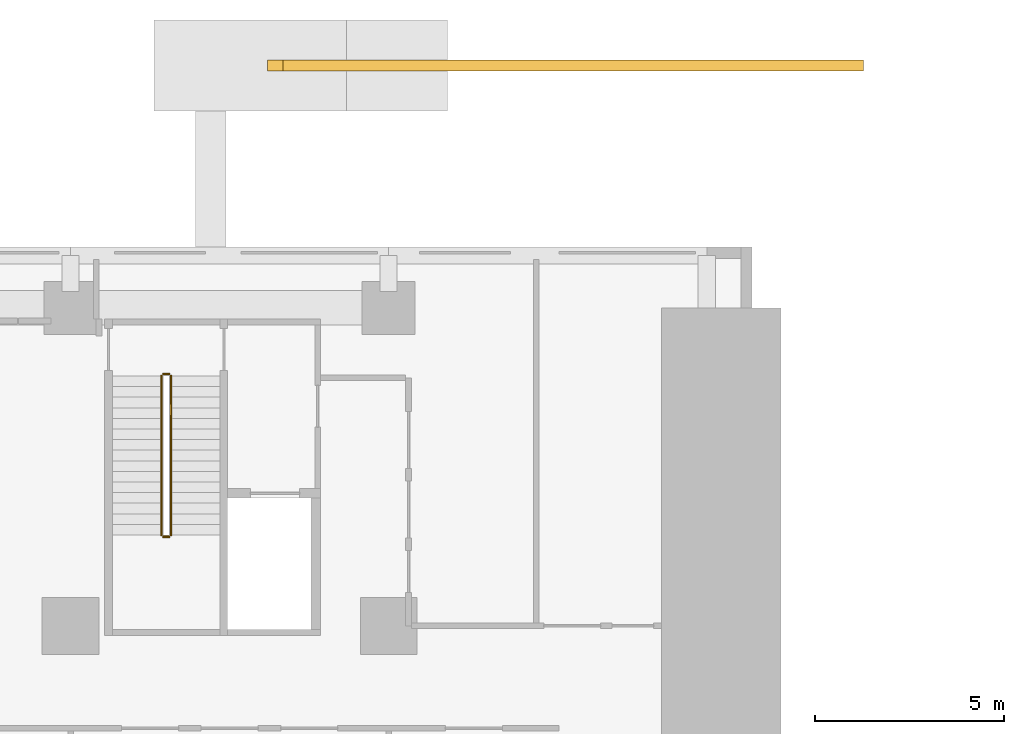
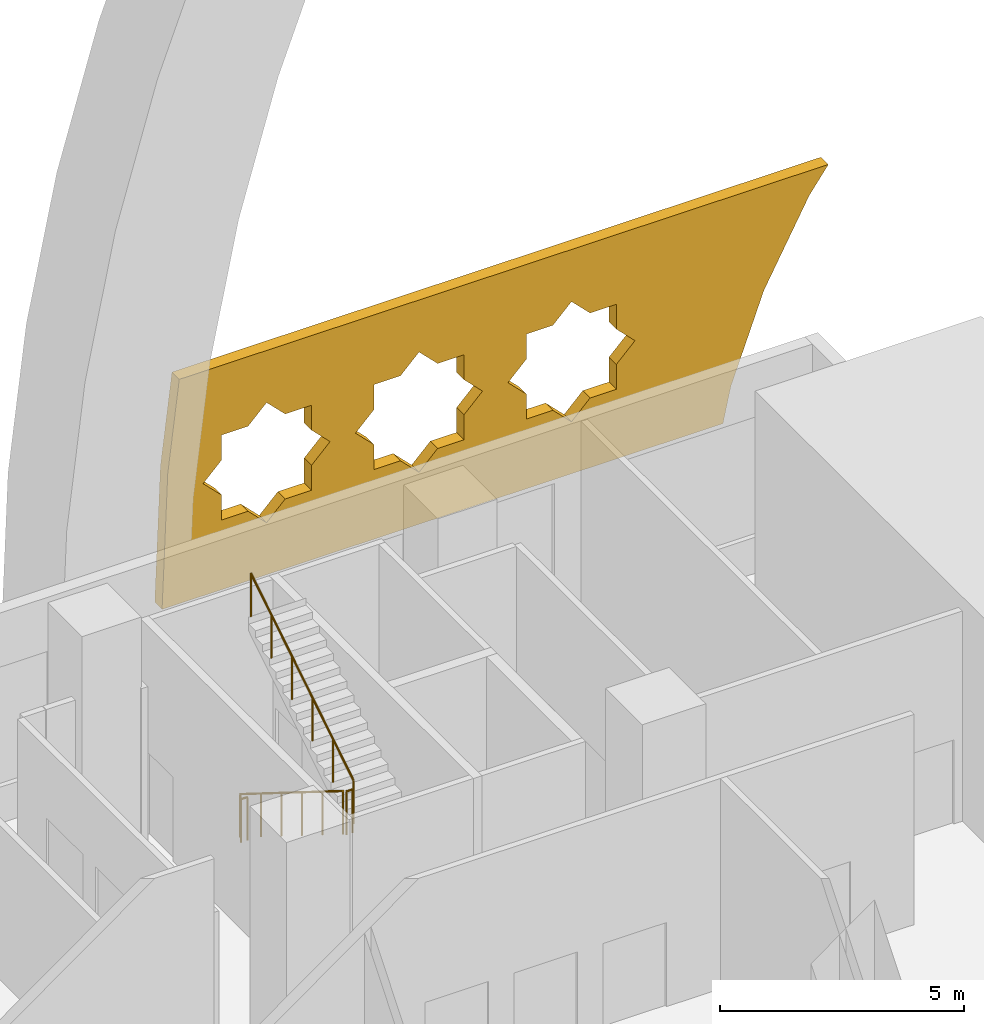
# One storey, part 18 of 19: 4 railings, 1 covering.
"""IFC4 building model written with IfcOpenShell, lengths in metres."""

from ifc_helpers import new_model, si_unit, direction, frame, origin, origin_2d, place, context, subcontext, project, spatial, polyline, circle, outline, extrude, material, layer, layer_set, type_object, element, save


model = new_model("IFC4")

# Units and contexts
model_context = context("Model", 3, precision=1e-05, world=origin(), true_north=direction((0.0, 1.0)))
body_context = subcontext(model_context, "Body", "Model", "MODEL_VIEW")
ifc_project = project(units=[si_unit("LENGTHUNIT", "METRE"), si_unit("AREAUNIT", "SQUARE_METRE"), si_unit("VOLUMEUNIT", "CUBIC_METRE"), si_unit("PLANEANGLEUNIT", "RADIAN"), si_unit("MASSUNIT", "GRAM", prefix="KILO")], contexts=[model_context])

# Site, building, storey
site_placement = place(None, origin())
site = spatial("IfcSite", under=ifc_project, at=site_placement, CompositionType="ELEMENT")
building_placement = place(site_placement, origin())
building = spatial("IfcBuilding", under=site, at=building_placement, Name="Kawkab Arch Medical Tower", CompositionType="ELEMENT")
storey_placement = place(building_placement, frame((0.0, 0.0, 12.60009765625)))
storey = spatial("IfcBuildingStorey", under=building, at=storey_placement, Name="L03", CompositionType="ELEMENT", Elevation=12.60009765625)

# Covering
ifc_material_1 = material(Name="Perforated bronze anodised aluminium, eight-point star pattern", Category="aluminium")
ifc_layer = layer(ifc_material_1, 0.300048828125)
ifc_layer_set = layer_set([ifc_layer], Name="Perforated bronze anodised aluminium, eight-point star pattern")
covering_type = type_object("IfcCoveringType", Name="Spandrel star screen 300", PredefinedType="USERDEFINED", material=ifc_layer_set)
covering_placement = place(storey_placement, frame((0.0, 6.550048828125, -12.60009765625), z_axis=(0.0, -1.0, 0.0), x_axis=(1.0, 0.0, 0.0)))
element("IfcCovering", 1, at=covering_placement, inside=storey, type_object=covering_type, Name="Spandrel screen N 2.1", ObjectType="SCREEN", PredefinedType="USERDEFINED", context=body_context, shape_type="SweptSolid", body=[
    extrude(outline(polyline([(47.201171875, 12.60009765625), (60.447509765625, 12.60009765625), (60.634033203125, 13.468017578125), (61.4140625, 15.591064453125), (62.48388671875, 17.5830078125), (62.9375, 18.199951171875), (47.607421875, 18.199951171875), (47.33544921875, 15.94970703125), (47.201171875, 12.60009765625)]), holes=[polyline([(51.16943359375, 15.39990234375), (50.72998046875, 15.83935546875), (50.72998046875, 16.460693359375), (50.108642578125, 16.460693359375), (49.66943359375, 16.89990234375), (49.22998046875, 16.460693359375), (48.608642578125, 16.460693359375), (48.608642578125, 15.83935546875), (48.16943359375, 15.39990234375), (48.608642578125, 14.960693359375), (48.608642578125, 14.33935546875), (49.22998046875, 14.33935546875), (49.66943359375, 13.89990234375), (50.108642578125, 14.33935546875), (50.72998046875, 14.33935546875), (50.72998046875, 14.960693359375), (51.16943359375, 15.39990234375)]), polyline([(54.769287109375, 15.39990234375), (54.330078125, 15.83935546875), (54.330078125, 16.460693359375), (53.708740234375, 16.460693359375), (53.269287109375, 16.89990234375), (52.830078125, 16.460693359375), (52.208740234375, 16.460693359375), (52.208740234375, 15.83935546875), (51.769287109375, 15.39990234375), (52.208740234375, 14.960693359375), (52.208740234375, 14.33935546875), (52.830078125, 14.33935546875), (53.269287109375, 13.89990234375), (53.708740234375, 14.33935546875), (54.330078125, 14.33935546875), (54.330078125, 14.960693359375), (54.769287109375, 15.39990234375)]), polyline([(58.369384765625, 15.39990234375), (57.929931640625, 15.83935546875), (57.929931640625, 16.460693359375), (57.30859375, 16.460693359375), (56.869384765625, 16.89990234375), (56.429931640625, 16.460693359375), (55.80859375, 16.460693359375), (55.80859375, 15.83935546875), (55.369384765625, 15.39990234375), (55.80859375, 14.960693359375), (55.80859375, 14.33935546875), (56.429931640625, 14.33935546875), (56.869384765625, 13.89990234375), (57.30859375, 14.33935546875), (57.929931640625, 14.33935546875), (57.929931640625, 14.960693359375), (58.369384765625, 15.39990234375)])]), origin(), (0.0, 0.0, 1.0), 0.300048828125),
])

# Railings
ifc_material_2 = material(Name="Stainless steel", Category="steel")
railing_type = type_object("IfcRailingType", Name="Stair guard 1100", PredefinedType="GUARDRAIL", material=ifc_material_2)
railing_1_placement = place(storey_placement, frame((44.39990234375, -1.800048828125, 0.1748046875)))
element("IfcRailing", 2, at=railing_1_placement, inside=storey, type_object=railing_type, Name="L03 ST5 stair guard 1", PredefinedType="GUARDRAIL", context=body_context, shape_type="SweptSolid", body=[
    extrude(circle(Radius=0.02392578125, at=origin_2d()), frame((0.0, 0.0, 1.076171875), z_axis=(0.0, -0.847995534698, 0.530003370869), x_axis=(1.0, 0.0, 0.0)), (0.0, 0.0, 1.0), 4.952880859375),
    extrude(circle(Radius=0.02099609375, at=origin_2d()), origin(), (0.0, 0.0, 1.0), 1.052001953125),
    extrude(circle(Radius=0.02099609375, at=origin_2d()), frame((0.0, -0.840087890625, 0.52490234375)), (0.0, 0.0, 1.0), 1.052001953125),
    extrude(circle(Radius=0.02099609375, at=origin_2d()), frame((0.0, -1.679931640625, 1.050048828125)), (0.0, 0.0, 1.0), 1.052001953125),
    extrude(circle(Radius=0.02099609375, at=origin_2d()), frame((0.0, -2.52001953125, 1.574951171875)), (0.0, 0.0, 1.0), 1.052001953125),
    extrude(circle(Radius=0.02099609375, at=origin_2d()), frame((0.0, -3.35986328125, 2.10009765625)), (0.0, 0.0, 1.0), 1.052001953125),
    extrude(circle(Radius=0.02099609375, at=origin_2d()), frame((0.0, -4.199951171875, 2.625)), (0.0, 0.0, 1.0), 1.052001953125),
])
railing_2_placement = place(storey_placement, frame((44.449951171875, -6.050048828125, 2.7998046875)))
element("IfcRailing", 3, at=railing_2_placement, inside=storey, type_object=railing_type, Name="L03 ST5 stair guard 2", PredefinedType="GUARDRAIL", context=body_context, shape_type="SweptSolid", body=[
    extrude(circle(Radius=0.02392578125, at=origin_2d()), frame((0.0, 0.0, 1.076171875), z_axis=(1.0, 0.0, 0.0), x_axis=(0.0, 1.0, 0.0)), (0.0, 0.0, 1.0), 0.150146484375),
    extrude(circle(Radius=0.02099609375, at=origin_2d()), origin(), (0.0, 0.0, 1.0), 1.052001953125),
    extrude(circle(Radius=0.02099609375, at=origin_2d()), frame((0.150146484375, 0.0, 0.0)), (0.0, 0.0, 1.0), 1.052001953125),
])
railing_3_placement = place(storey_placement, frame((44.64990234375, -6.0, 2.974853515625)))
element("IfcRailing", 4, at=railing_3_placement, inside=storey, type_object=railing_type, Name="L03 ST5 stair guard 3", PredefinedType="GUARDRAIL", context=body_context, shape_type="SweptSolid", body=[
    extrude(circle(Radius=0.02392578125, at=origin_2d()), frame((0.0, 0.0, 1.076171875), z_axis=(0.0, 0.847995534698, 0.530003370869), x_axis=(-1.0, 0.0, 0.0)), (0.0, 0.0, 1.0), 4.952880859375),
    extrude(circle(Radius=0.02099609375, at=origin_2d()), origin(), (0.0, 0.0, 1.0), 1.052001953125),
    extrude(circle(Radius=0.02099609375, at=origin_2d()), frame((0.0, 0.840087890625, 0.52490234375)), (0.0, 0.0, 1.0), 1.052001953125),
    extrude(circle(Radius=0.02099609375, at=origin_2d()), frame((0.0, 1.679931640625, 1.050048828125)), (0.0, 0.0, 1.0), 1.052001953125),
    extrude(circle(Radius=0.02099609375, at=origin_2d()), frame((0.0, 2.52001953125, 1.574951171875)), (0.0, 0.0, 1.0), 1.052001953125),
    extrude(circle(Radius=0.02099609375, at=origin_2d()), frame((0.0, 3.35986328125, 2.10009765625)), (0.0, 0.0, 1.0), 1.052001953125),
    extrude(circle(Radius=0.02099609375, at=origin_2d()), frame((0.0, 4.199951171875, 2.625)), (0.0, 0.0, 1.0), 1.052001953125),
])
railing_4_placement = place(storey_placement, frame((44.449951171875, -1.75, 0.0)))
element("IfcRailing", 5, at=railing_4_placement, inside=storey, type_object=railing_type, Name="L03 ST5 stair guard 4", PredefinedType="GUARDRAIL", context=body_context, shape_type="SweptSolid", body=[
    extrude(circle(Radius=0.02392578125, at=origin_2d()), frame((0.0, 0.0, 1.076171875), z_axis=(1.0, 0.0, 0.0), x_axis=(0.0, 1.0, 0.0)), (0.0, 0.0, 1.0), 0.150146484375),
    extrude(circle(Radius=0.02099609375, at=origin_2d()), origin(), (0.0, 0.0, 1.0), 1.052001953125),
    extrude(circle(Radius=0.02099609375, at=origin_2d()), frame((0.150146484375, 0.0, 0.0)), (0.0, 0.0, 1.0), 1.052001953125),
])

save(model, "model.ifc")
